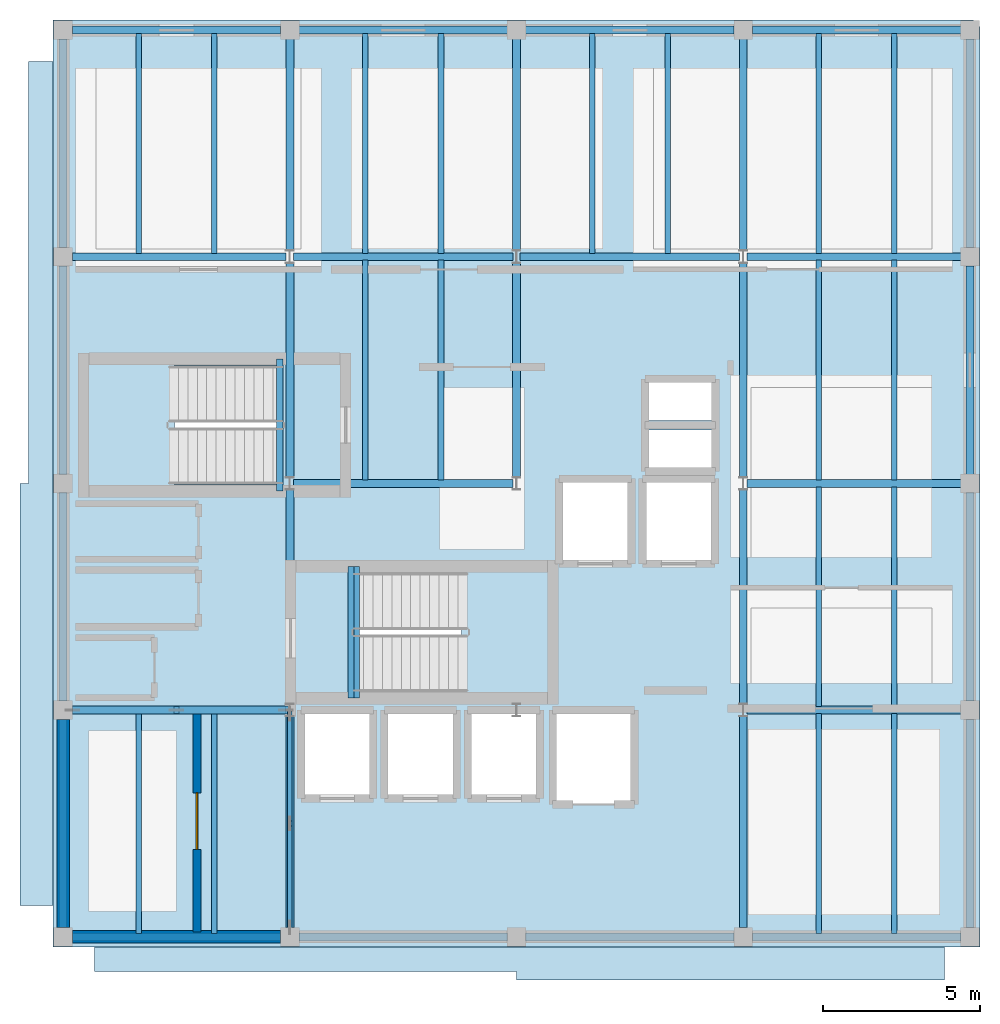
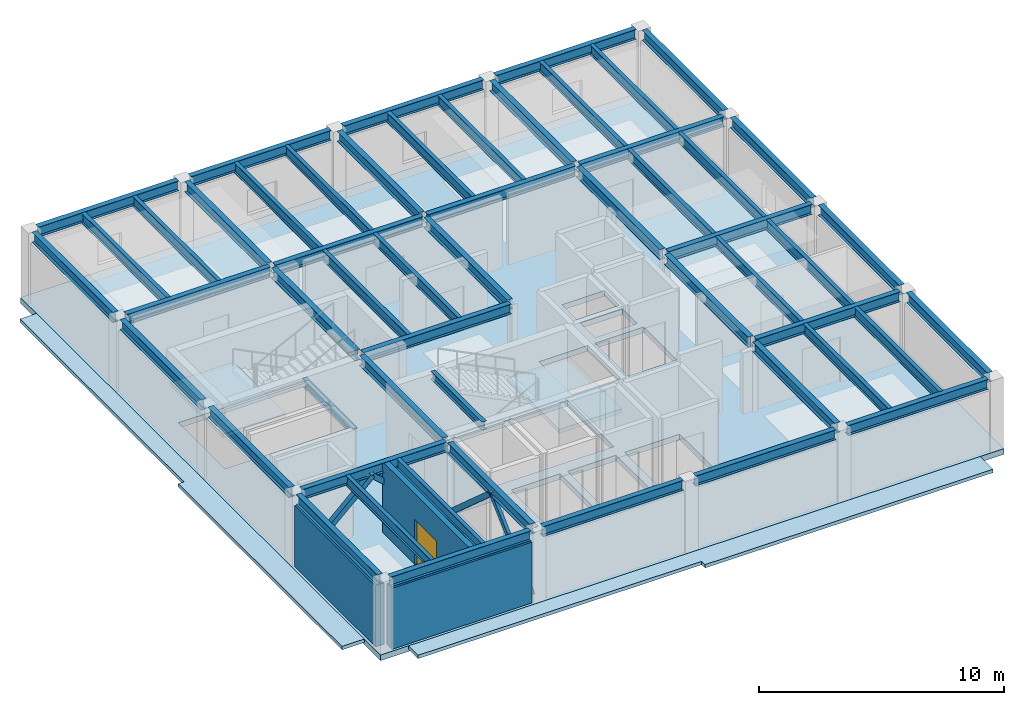
# One storey, part 3 of 8: 55 beams, 5 slabs, 4 members, 3 walls, 1 door, 1 opening, 2 elements without a shape of their own.
"""IFC4 building model written with IfcOpenShell, lengths in metres."""

from ifc_helpers import new_model, si_unit, direction, frame, frame_2d, origin, origin_2d, place, context, subcontext, project, spatial, polyline, rectangle, hollow_rectangle, i_section, outline, extrude, material, layer, layer_set, material_profile, profile_set, type_object, element, fill, aggregate, save


model = new_model("IFC4")

# Units and contexts
model_context = context("Model", 3, precision=1e-05, world=origin(), true_north=direction((0.0, 1.0)))
body_context = subcontext(model_context, "Body", "Model", "MODEL_VIEW")
ifc_project = project(units=[si_unit("LENGTHUNIT", "METRE"), si_unit("AREAUNIT", "SQUARE_METRE"), si_unit("VOLUMEUNIT", "CUBIC_METRE"), si_unit("PLANEANGLEUNIT", "RADIAN"), si_unit("MASSUNIT", "GRAM", prefix="KILO")], contexts=[model_context])

# Site, building, storey
site_placement = place(None, origin())
site = spatial("IfcSite", under=ifc_project, at=site_placement, CompositionType="ELEMENT")
building_placement = place(site_placement, origin())
building = spatial("IfcBuilding", under=site, at=building_placement, Name="Kandorven Conservatory and Botanical Research Centre", CompositionType="ELEMENT")
storey_placement = place(building_placement, frame((0.0, 0.0, 32.699951171875)))
storey = spatial("IfcBuildingStorey", under=building, at=storey_placement, Name="L08", CompositionType="ELEMENT", Elevation=32.699951171875)

# Beams
ifc_material_1 = material(Name="Steel S355 (IS 2062 E350)", Category="steel")
ifc_material_profile_1 = material_profile(ifc_material_1, i_section(OverallWidth=0.25, OverallDepth=0.5, WebThickness=0.010009765625, FlangeThickness=0.0146484375, at=origin_2d()))
ifc_profile_set_1 = profile_set([ifc_material_profile_1], Name="Steel S355 (IS 2062 E350)")
beam_type_1 = type_object("IfcBeamType", Name="Beam_FG-02", PredefinedType="USERDEFINED", material=ifc_profile_set_1)
beam_1_placement = place(storey_placement, frame((6.2900390625, 6.0, 3.31005859375), z_axis=(1.0, 0.0, 0.0), x_axis=(0.0, 1.0, 0.0)))
element("IfcBeam", 1, at=beam_1_placement, inside=storey, type_object=beam_type_1, Name="Primary girder FG-02 TWR L08", ObjectType="GIRDER", PredefinedType="USERDEFINED", context=body_context, shape_type="SweptSolid", body=[
    extrude(i_section(OverallWidth=0.25, OverallDepth=0.5, WebThickness=0.010009765625, FlangeThickness=0.0146484375, at=origin_2d()), origin(), (0.0, 0.0, 1.0), 6.619873046875),
])
for number, where, z_axis, x_axis, name in (
    (2, (13.489990234375, 6.0, 3.31005859375), (1.0, 0.0, 0.0), (0.0, 1.0, 0.0), "Primary girder FG-02 TWR L08"),
    (3, (20.68994140625, 6.0, 3.31005859375), (1.0, 0.0, 0.0), (0.0, 1.0, 0.0), "Primary girder FG-02 TWR L08"),
    (4, (27.889892578125, 6.0, 3.31005859375), (1.0, 0.0, 0.0), (0.0, 1.0, 0.0), "Primary girder FG-02 TWR L08"),
):
    element("IfcBeam", number, at=place(storey_placement, frame(where, z_axis=z_axis, x_axis=x_axis)), inside=storey, type_object=beam_type_1, Name=name, ObjectType="GIRDER", PredefinedType="USERDEFINED", context=body_context, shape_type="SweptSolid", body=[
        extrude(i_section(OverallWidth=0.25, OverallDepth=0.5, WebThickness=0.010009765625, FlangeThickness=0.0146484375, at=origin_2d()), origin(), (0.0, 0.0, 1.0), 6.6201171875),
    ])
for number, where, z_axis, x_axis, name in (
    (5, (6.2900390625, 13.199951171875, 3.31005859375), (1.0, 0.0, 0.0), (0.0, 1.0, 0.0), "Primary girder FG-02 TWR L08"),
    (6, (27.715087890625, 13.199951171875, 3.31005859375), (1.0, 0.0, 0.0), (0.0, 1.0, 0.0), "Primary girder FG-02 TWR L08"),
):
    element("IfcBeam", number, at=place(storey_placement, frame(where, z_axis=z_axis, x_axis=x_axis)), inside=storey, type_object=beam_type_1, Name=name, ObjectType="GIRDER", PredefinedType="USERDEFINED", context=body_context, shape_type="SweptSolid", body=[
        extrude(i_section(OverallWidth=0.25, OverallDepth=0.5, WebThickness=0.010009765625, FlangeThickness=0.0146484375, at=origin_2d()), origin(), (0.0, 0.0, 1.0), 6.794921875),
    ])
beam_2_placement = place(storey_placement, frame((13.31494140625, 20.39990234375, 3.31005859375), z_axis=(1.0, 0.0, 0.0), x_axis=(0.0, 1.0, 0.0)))
element("IfcBeam", 7, at=beam_2_placement, inside=storey, type_object=beam_type_1, Name="Primary girder FG-02 TWR L08", ObjectType="GIRDER", PredefinedType="USERDEFINED", context=body_context, shape_type="SweptSolid", body=[
    extrude(i_section(OverallWidth=0.25, OverallDepth=0.5, WebThickness=0.010009765625, FlangeThickness=0.0146484375, at=origin_2d()), origin(), (0.0, 0.0, 1.0), 6.969970703125),
])
for number, where, z_axis, x_axis, name in (
    (8, (27.715087890625, 20.39990234375, 3.31005859375), (1.0, 0.0, 0.0), (0.0, 1.0, 0.0), "Primary girder FG-02 TWR L08"),
    (9, (6.2900390625, 27.60009765625, 3.31005859375), (1.0, 0.0, 0.0), (0.0, 1.0, 0.0), "Primary girder FG-02 TWR L08"),
):
    element("IfcBeam", number, at=place(storey_placement, frame(where, z_axis=z_axis, x_axis=x_axis)), inside=storey, type_object=beam_type_1, Name=name, ObjectType="GIRDER", PredefinedType="USERDEFINED", context=body_context, shape_type="SweptSolid", body=[
        extrude(i_section(OverallWidth=0.25, OverallDepth=0.5, WebThickness=0.010009765625, FlangeThickness=0.0146484375, at=origin_2d()), origin(), (0.0, 0.0, 1.0), 6.794921875),
    ])
beam_3_placement = place(storey_placement, frame((13.31494140625, 27.60009765625, 3.31005859375), z_axis=(1.0, 0.0, 0.0), x_axis=(0.0, 1.0, 0.0)))
element("IfcBeam", 10, at=beam_3_placement, inside=storey, type_object=beam_type_1, Name="Primary girder FG-02 TWR L08", ObjectType="GIRDER", PredefinedType="USERDEFINED", context=body_context, shape_type="SweptSolid", body=[
    extrude(i_section(OverallWidth=0.25, OverallDepth=0.5, WebThickness=0.010009765625, FlangeThickness=0.0146484375, at=origin_2d()), origin(), (0.0, 0.0, 1.0), 6.969970703125),
])
beam_4_placement = place(storey_placement, frame((20.514892578125, 27.60009765625, 3.31005859375), z_axis=(1.0, 0.0, 0.0), x_axis=(0.0, 1.0, 0.0)))
element("IfcBeam", 11, at=beam_4_placement, inside=storey, type_object=beam_type_1, Name="Primary girder FG-02 TWR L08", ObjectType="GIRDER", PredefinedType="USERDEFINED", context=body_context, shape_type="SweptSolid", body=[
    extrude(i_section(OverallWidth=0.25, OverallDepth=0.5, WebThickness=0.010009765625, FlangeThickness=0.0146484375, at=origin_2d()), origin(), (0.0, 0.0, 1.0), 6.97021484375),
])
beam_5_placement = place(storey_placement, frame((27.715087890625, 27.60009765625, 3.31005859375), z_axis=(1.0, 0.0, 0.0), x_axis=(0.0, 1.0, 0.0)))
element("IfcBeam", 12, at=beam_5_placement, inside=storey, type_object=beam_type_1, Name="Primary girder FG-02 TWR L08", ObjectType="GIRDER", PredefinedType="USERDEFINED", context=body_context, shape_type="SweptSolid", body=[
    extrude(i_section(OverallWidth=0.25, OverallDepth=0.5, WebThickness=0.010009765625, FlangeThickness=0.0146484375, at=origin_2d()), origin(), (0.0, 0.0, 1.0), 6.794921875),
])
beam_6_placement = place(storey_placement, frame((6.2900390625, 34.800048828125, 3.31005859375), z_axis=(1.0, 0.0, 0.0), x_axis=(0.0, 1.0, 0.0)))
element("IfcBeam", 13, at=beam_6_placement, inside=storey, type_object=beam_type_1, Name="Primary girder FG-02 TWR L08", ObjectType="GIRDER", PredefinedType="USERDEFINED", context=body_context, shape_type="SweptSolid", body=[
    extrude(i_section(OverallWidth=0.25, OverallDepth=0.5, WebThickness=0.010009765625, FlangeThickness=0.0146484375, at=origin_2d()), origin(), (0.0, 0.0, 1.0), 6.619873046875),
])
for number, where, z_axis, x_axis, name in (
    (14, (13.489990234375, 34.800048828125, 3.31005859375), (1.0, 0.0, 0.0), (0.0, 1.0, 0.0), "Primary girder FG-02 TWR L08"),
    (15, (20.68994140625, 34.800048828125, 3.31005859375), (1.0, 0.0, 0.0), (0.0, 1.0, 0.0), "Primary girder FG-02 TWR L08"),
    (16, (27.889892578125, 34.800048828125, 3.31005859375), (1.0, 0.0, 0.0), (0.0, 1.0, 0.0), "Primary girder FG-02 TWR L08"),
):
    element("IfcBeam", number, at=place(storey_placement, frame(where, z_axis=z_axis, x_axis=x_axis)), inside=storey, type_object=beam_type_1, Name=name, ObjectType="GIRDER", PredefinedType="USERDEFINED", context=body_context, shape_type="SweptSolid", body=[
        extrude(i_section(OverallWidth=0.25, OverallDepth=0.5, WebThickness=0.010009765625, FlangeThickness=0.0146484375, at=origin_2d()), origin(), (0.0, 0.0, 1.0), 6.6201171875),
    ])
beam_7_placement = place(storey_placement, frame((6.0, 6.2900390625, 3.31005859375), z_axis=(0.0, 1.0, 0.0), x_axis=(-1.0, 0.0, 0.0)))
element("IfcBeam", 17, at=beam_7_placement, inside=storey, type_object=beam_type_1, Name="Primary girder FG-02 TWR L08", ObjectType="GIRDER", PredefinedType="USERDEFINED", context=body_context, shape_type="SweptSolid", body=[
    extrude(i_section(OverallWidth=0.25, OverallDepth=0.5, WebThickness=0.010009765625, FlangeThickness=0.0146484375, at=origin_2d()), origin(), (0.0, 0.0, 1.0), 6.619873046875),
])
for number, where, z_axis, x_axis, name in (
    (18, (6.0, 13.489990234375, 3.31005859375), (0.0, 1.0, 0.0), (-1.0, 0.0, 0.0), "Primary girder FG-02 TWR L08"),
    (19, (6.0, 20.68994140625, 3.31005859375), (0.0, 1.0, 0.0), (-1.0, 0.0, 0.0), "Primary girder FG-02 TWR L08"),
    (20, (6.0, 27.889892578125, 3.31005859375), (0.0, 1.0, 0.0), (-1.0, 0.0, 0.0), "Primary girder FG-02 TWR L08"),
):
    element("IfcBeam", number, at=place(storey_placement, frame(where, z_axis=z_axis, x_axis=x_axis)), inside=storey, type_object=beam_type_1, Name=name, ObjectType="GIRDER", PredefinedType="USERDEFINED", context=body_context, shape_type="SweptSolid", body=[
        extrude(i_section(OverallWidth=0.25, OverallDepth=0.5, WebThickness=0.010009765625, FlangeThickness=0.0146484375, at=origin_2d()), origin(), (0.0, 0.0, 1.0), 6.6201171875),
    ])
beam_8_placement = place(storey_placement, frame((13.199951171875, 6.2900390625, 3.31005859375), z_axis=(0.0, 1.0, 0.0), x_axis=(-1.0, 0.0, 0.0)))
element("IfcBeam", 21, at=beam_8_placement, inside=storey, type_object=beam_type_1, Name="Primary girder FG-02 TWR L08", ObjectType="GIRDER", PredefinedType="USERDEFINED", context=body_context, shape_type="SweptSolid", body=[
    extrude(i_section(OverallWidth=0.25, OverallDepth=0.5, WebThickness=0.010009765625, FlangeThickness=0.0146484375, at=origin_2d()), origin(), (0.0, 0.0, 1.0), 6.719970703125),
])
beam_9_placement = place(storey_placement, frame((13.199951171875, 13.389892578125, 3.31005859375), z_axis=(0.0, 1.0, 0.0), x_axis=(-1.0, 0.0, 0.0)))
element("IfcBeam", 22, at=beam_9_placement, inside=storey, type_object=beam_type_1, Name="Primary girder FG-02 TWR L08", ObjectType="GIRDER", PredefinedType="USERDEFINED", context=body_context, shape_type="SweptSolid", body=[
    extrude(i_section(OverallWidth=0.25, OverallDepth=0.5, WebThickness=0.010009765625, FlangeThickness=0.0146484375, at=origin_2d()), origin(), (0.0, 0.0, 1.0), 6.820068359375),
])
beam_10_placement = place(storey_placement, frame((13.199951171875, 20.590087890625, 3.31005859375), z_axis=(0.0, 1.0, 0.0), x_axis=(-1.0, 0.0, 0.0)))
element("IfcBeam", 23, at=beam_10_placement, inside=storey, type_object=beam_type_1, Name="Primary girder FG-02 TWR L08", ObjectType="GIRDER", PredefinedType="USERDEFINED", context=body_context, shape_type="SweptSolid", body=[
    extrude(i_section(OverallWidth=0.25, OverallDepth=0.5, WebThickness=0.010009765625, FlangeThickness=0.0146484375, at=origin_2d()), origin(), (0.0, 0.0, 1.0), 6.81982421875),
])
beam_11_placement = place(storey_placement, frame((13.199951171875, 27.7900390625, 3.31005859375), z_axis=(0.0, 1.0, 0.0), x_axis=(-1.0, 0.0, 0.0)))
element("IfcBeam", 24, at=beam_11_placement, inside=storey, type_object=beam_type_1, Name="Primary girder FG-02 TWR L08", ObjectType="GIRDER", PredefinedType="USERDEFINED", context=body_context, shape_type="SweptSolid", body=[
    extrude(i_section(OverallWidth=0.25, OverallDepth=0.5, WebThickness=0.010009765625, FlangeThickness=0.0146484375, at=origin_2d()), origin(), (0.0, 0.0, 1.0), 6.719970703125),
])
beam_12_placement = place(storey_placement, frame((20.39990234375, 20.590087890625, 3.31005859375), z_axis=(0.0, 1.0, 0.0), x_axis=(-1.0, 0.0, 0.0)))
element("IfcBeam", 25, at=beam_12_placement, inside=storey, type_object=beam_type_1, Name="Primary girder FG-02 TWR L08", ObjectType="GIRDER", PredefinedType="USERDEFINED", context=body_context, shape_type="SweptSolid", body=[
    extrude(i_section(OverallWidth=0.25, OverallDepth=0.5, WebThickness=0.010009765625, FlangeThickness=0.0146484375, at=origin_2d()), origin(), (0.0, 0.0, 1.0), 6.81982421875),
])
for number, where, z_axis, x_axis, name in (
    (26, (20.39990234375, 27.7900390625, 3.31005859375), (0.0, 1.0, 0.0), (-1.0, 0.0, 0.0), "Primary girder FG-02 TWR L08"),
    (27, (27.60009765625, 6.2900390625, 3.31005859375), (0.0, 1.0, 0.0), (-1.0, 0.0, 0.0), "Primary girder FG-02 TWR L08"),
):
    element("IfcBeam", number, at=place(storey_placement, frame(where, z_axis=z_axis, x_axis=x_axis)), inside=storey, type_object=beam_type_1, Name=name, ObjectType="GIRDER", PredefinedType="USERDEFINED", context=body_context, shape_type="SweptSolid", body=[
        extrude(i_section(OverallWidth=0.25, OverallDepth=0.5, WebThickness=0.010009765625, FlangeThickness=0.0146484375, at=origin_2d()), origin(), (0.0, 0.0, 1.0), 6.719970703125),
    ])
beam_13_placement = place(storey_placement, frame((27.60009765625, 13.389892578125, 3.31005859375), z_axis=(0.0, 1.0, 0.0), x_axis=(-1.0, 0.0, 0.0)))
element("IfcBeam", 28, at=beam_13_placement, inside=storey, type_object=beam_type_1, Name="Primary girder FG-02 TWR L08", ObjectType="GIRDER", PredefinedType="USERDEFINED", context=body_context, shape_type="SweptSolid", body=[
    extrude(i_section(OverallWidth=0.25, OverallDepth=0.5, WebThickness=0.010009765625, FlangeThickness=0.0146484375, at=origin_2d()), origin(), (0.0, 0.0, 1.0), 6.820068359375),
])
beam_14_placement = place(storey_placement, frame((27.60009765625, 20.590087890625, 3.31005859375), z_axis=(0.0, 1.0, 0.0), x_axis=(-1.0, 0.0, 0.0)))
element("IfcBeam", 29, at=beam_14_placement, inside=storey, type_object=beam_type_1, Name="Primary girder FG-02 TWR L08", ObjectType="GIRDER", PredefinedType="USERDEFINED", context=body_context, shape_type="SweptSolid", body=[
    extrude(i_section(OverallWidth=0.25, OverallDepth=0.5, WebThickness=0.010009765625, FlangeThickness=0.0146484375, at=origin_2d()), origin(), (0.0, 0.0, 1.0), 6.81982421875),
])
beam_15_placement = place(storey_placement, frame((27.60009765625, 27.7900390625, 3.31005859375), z_axis=(0.0, 1.0, 0.0), x_axis=(-1.0, 0.0, 0.0)))
element("IfcBeam", 30, at=beam_15_placement, inside=storey, type_object=beam_type_1, Name="Primary girder FG-02 TWR L08", ObjectType="GIRDER", PredefinedType="USERDEFINED", context=body_context, shape_type="SweptSolid", body=[
    extrude(i_section(OverallWidth=0.25, OverallDepth=0.5, WebThickness=0.010009765625, FlangeThickness=0.0146484375, at=origin_2d()), origin(), (0.0, 0.0, 1.0), 6.719970703125),
])
beam_16_placement = place(storey_placement, frame((34.800048828125, 6.2900390625, 3.31005859375), z_axis=(0.0, 1.0, 0.0), x_axis=(-1.0, 0.0, 0.0)))
element("IfcBeam", 31, at=beam_16_placement, inside=storey, type_object=beam_type_1, Name="Primary girder FG-02 TWR L08", ObjectType="GIRDER", PredefinedType="USERDEFINED", context=body_context, shape_type="SweptSolid", body=[
    extrude(i_section(OverallWidth=0.25, OverallDepth=0.5, WebThickness=0.010009765625, FlangeThickness=0.0146484375, at=origin_2d()), origin(), (0.0, 0.0, 1.0), 6.619873046875),
])
for number, where, z_axis, x_axis, name in (
    (32, (34.800048828125, 13.489990234375, 3.31005859375), (0.0, 1.0, 0.0), (-1.0, 0.0, 0.0), "Primary girder FG-02 TWR L08"),
    (33, (34.800048828125, 20.68994140625, 3.31005859375), (0.0, 1.0, 0.0), (-1.0, 0.0, 0.0), "Primary girder FG-02 TWR L08"),
    (34, (34.800048828125, 27.889892578125, 3.31005859375), (0.0, 1.0, 0.0), (-1.0, 0.0, 0.0), "Primary girder FG-02 TWR L08"),
):
    element("IfcBeam", number, at=place(storey_placement, frame(where, z_axis=z_axis, x_axis=x_axis)), inside=storey, type_object=beam_type_1, Name=name, ObjectType="GIRDER", PredefinedType="USERDEFINED", context=body_context, shape_type="SweptSolid", body=[
        extrude(i_section(OverallWidth=0.25, OverallDepth=0.5, WebThickness=0.010009765625, FlangeThickness=0.0146484375, at=origin_2d()), origin(), (0.0, 0.0, 1.0), 6.6201171875),
    ])
ifc_material_2 = material(Name="Steel S355 (IS 2062 E350)", Category="steel")
ifc_material_profile_2 = material_profile(ifc_material_2, i_section(OverallWidth=0.199951171875, OverallDepth=0.39990234375, WebThickness=0.008544921875, FlangeThickness=0.012939453125, at=origin_2d()))
ifc_profile_set_2 = profile_set([ifc_material_profile_2], Name="Steel S355 (IS 2062 E350)")
beam_type_2 = type_object("IfcBeamType", Name="Beam_FG-03", PredefinedType="USERDEFINED", material=ifc_profile_set_2)
for number, where, z_axis, x_axis, name in (
    (35, (15.320068359375, 13.580078125, -0.199951171875), (0.0, 1.0, 0.0), (-1.0, 0.0, 0.0), "Stair well bottom trimmer girder FG-03 ST-T1 L08"),
    (36, (15.139892578125, 13.580078125, 3.360107421875), (0.0, 1.0, 0.0), (-1.0, 0.0, 0.0), "Stair well top header girder FG-03 ST-T1 L08"),
):
    element("IfcBeam", number, at=place(storey_placement, frame(where, z_axis=z_axis, x_axis=x_axis)), inside=storey, type_object=beam_type_2, Name=name, ObjectType="GIRDER", PredefinedType="USERDEFINED", context=body_context, shape_type="SweptSolid", body=[
        extrude(i_section(OverallWidth=0.199951171875, OverallDepth=0.39990234375, WebThickness=0.008544921875, FlangeThickness=0.012939453125, at=origin_2d()), origin(), (0.0, 0.0, 1.0), 4.18994140625),
    ])
beam_17_placement = place(storey_placement, frame((12.8798828125, 24.35009765625, -0.199951171875), z_axis=(0.0, -1.0, 0.0), x_axis=(1.0, 0.0, 0.0)))
element("IfcBeam", 37, at=beam_17_placement, inside=storey, type_object=beam_type_2, Name="Stair well bottom trimmer girder FG-03 ST-T2 L08", ObjectType="GIRDER", PredefinedType="USERDEFINED", context=body_context, shape_type="SweptSolid", body=[
    extrude(i_section(OverallWidth=0.199951171875, OverallDepth=0.39990234375, WebThickness=0.008544921875, FlangeThickness=0.012939453125, at=origin_2d()), origin(), (0.0, 0.0, 1.0), 4.190185546875),
])
ifc_material_3 = material(Name="Steel S355 (IS 2062 E350)", Category="steel")
ifc_material_profile_3 = material_profile(ifc_material_3, i_section(OverallWidth=0.179931640625, OverallDepth=0.5, WebThickness=0.01025390625, FlangeThickness=0.01708984375, at=origin_2d()))
ifc_profile_set_3 = profile_set([ifc_material_profile_3], Name="Steel S355 (IS 2062 E350)")
beam_type_3 = type_object("IfcBeamType", Name="Beam_SB-03", PredefinedType="BEAM", material=ifc_profile_set_3)
for number, where, z_axis, x_axis, name in (
    (38, (8.39990234375, 6.110107421875, 3.31005859375), (0.0, 1.0, 0.0), (-1.0, 0.0, 0.0), "Composite secondary beam SB-03 TWR L08"),
    (39, (10.800048828125, 6.110107421875, 3.31005859375), (0.0, 1.0, 0.0), (-1.0, 0.0, 0.0), "Composite secondary beam SB-03 TWR L08"),
    (40, (8.39990234375, 27.7099609375, 3.31005859375), (0.0, 1.0, 0.0), (-1.0, 0.0, 0.0), "Composite secondary beam SB-03 TWR L08"),
    (41, (10.800048828125, 27.7099609375, 3.31005859375), (0.0, 1.0, 0.0), (-1.0, 0.0, 0.0), "Composite secondary beam SB-03 TWR L08"),
    (42, (15.60009765625, 20.510009765625, 3.31005859375), (0.0, 1.0, 0.0), (-1.0, 0.0, 0.0), "Composite secondary beam SB-03 TWR L08"),
    (43, (18.0, 20.510009765625, 3.31005859375), (0.0, 1.0, 0.0), (-1.0, 0.0, 0.0), "Composite secondary beam SB-03 TWR L08"),
    (44, (15.60009765625, 27.7099609375, 3.31005859375), (0.0, 1.0, 0.0), (-1.0, 0.0, 0.0), "Composite secondary beam SB-03 TWR L08"),
    (45, (18.0, 27.7099609375, 3.31005859375), (0.0, 1.0, 0.0), (-1.0, 0.0, 0.0), "Composite secondary beam SB-03 TWR L08"),
    (46, (22.800048828125, 27.7099609375, 3.31005859375), (0.0, 1.0, 0.0), (-1.0, 0.0, 0.0), "Composite secondary beam SB-03 TWR L08"),
    (47, (25.199951171875, 27.7099609375, 3.31005859375), (0.0, 1.0, 0.0), (-1.0, 0.0, 0.0), "Composite secondary beam SB-03 TWR L08"),
    (48, (30.0, 6.110107421875, 3.31005859375), (0.0, 1.0, 0.0), (-1.0, 0.0, 0.0), "Composite secondary beam SB-03 TWR L08"),
    (49, (32.39990234375, 6.110107421875, 3.31005859375), (0.0, 1.0, 0.0), (-1.0, 0.0, 0.0), "Composite secondary beam SB-03 TWR L08"),
    (50, (30.0, 13.31005859375, 3.31005859375), (0.0, 1.0, 0.0), (-1.0, 0.0, 0.0), "Composite secondary beam SB-03 TWR L08"),
    (51, (32.39990234375, 13.31005859375, 3.31005859375), (0.0, 1.0, 0.0), (-1.0, 0.0, 0.0), "Composite secondary beam SB-03 TWR L08"),
    (52, (30.0, 20.510009765625, 3.31005859375), (0.0, 1.0, 0.0), (-1.0, 0.0, 0.0), "Composite secondary beam SB-03 TWR L08"),
    (53, (32.39990234375, 20.510009765625, 3.31005859375), (0.0, 1.0, 0.0), (-1.0, 0.0, 0.0), "Composite secondary beam SB-03 TWR L08"),
    (54, (30.0, 27.7099609375, 3.31005859375), (0.0, 1.0, 0.0), (-1.0, 0.0, 0.0), "Composite secondary beam SB-03 TWR L08"),
    (55, (32.39990234375, 27.7099609375, 3.31005859375), (0.0, 1.0, 0.0), (-1.0, 0.0, 0.0), "Composite secondary beam SB-03 TWR L08"),
):
    element("IfcBeam", number, at=place(storey_placement, frame(where, z_axis=z_axis, x_axis=x_axis)), inside=storey, type_object=beam_type_3, Name=name, PredefinedType="BEAM", context=body_context, shape_type="SweptSolid", body=[
        extrude(i_section(OverallWidth=0.179931640625, OverallDepth=0.5, WebThickness=0.01025390625, FlangeThickness=0.01708984375, at=origin_2d()), origin(), (0.0, 0.0, 1.0), 6.97998046875),
    ])

# Members
ifc_material_4 = material(Name="Steel S355 (IS 2062 E350)", Category="steel")
ifc_material_profile_4 = material_profile(ifc_material_4, hollow_rectangle(XDim=0.25, YDim=0.25, WallThickness=0.011962890625, at=origin_2d()))
ifc_profile_set_4 = profile_set([ifc_material_profile_4], Name="Steel S355 (IS 2062 E350)")
member_type_1 = type_object("IfcMemberType", Name="Mem_BR-02", PredefinedType="BRACE", material=ifc_profile_set_4)
member_1_placement = place(storey_placement, frame((6.300048828125, 13.199951171875, 0.0), z_axis=(0.729946299396, 0.0, 0.683504498887), x_axis=(0.0, 1.0, 0.0)))
element("IfcMember", 56, at=member_1_placement, inside=storey, type_object=member_type_1, Name="Tower lateral chevron brace BR-02 L08 W", PredefinedType="BRACE", context=body_context, shape_type="SweptSolid", body=[
    extrude(hollow_rectangle(XDim=0.25, YDim=0.25, WallThickness=0.011962890625, at=origin_2d()), origin(), (0.0, 0.0, 1.0), 4.52099609375),
])
member_2_placement = place(storey_placement, frame((13.074951171875, 13.199951171875, 0.0), z_axis=(-0.74726736397, 0.0, 0.664523503532), x_axis=(0.0, -1.0, 0.0)))
element("IfcMember", 57, at=member_2_placement, inside=storey, type_object=member_type_1, Name="Tower lateral chevron brace BR-02 L08 E", PredefinedType="BRACE", context=body_context, shape_type="SweptSolid", body=[
    extrude(hollow_rectangle(XDim=0.25, YDim=0.25, WallThickness=0.011962890625, at=origin_2d()), origin(), (0.0, 0.0, 1.0), 4.650146484375),
])
ifc_material_5 = material(Name="Steel S355 (IS 2062 E350)", Category="steel")
ifc_material_profile_5 = material_profile(ifc_material_5, hollow_rectangle(XDim=0.14990234375, YDim=0.25, WallThickness=0.010009765625, at=origin_2d()))
ifc_profile_set_5 = profile_set([ifc_material_profile_5], Name="Steel S355 (IS 2062 E350)")
member_type_2 = type_object("IfcMemberType", Name="Mem_BR-04", PredefinedType="BRACE", material=ifc_profile_set_5)
member_3_placement = place(storey_placement, frame((13.199951171875, 6.300048828125, 0.0), z_axis=(0.0, 0.729946299396, 0.683504498887), x_axis=(-1.0, 0.0, 0.0)))
element("IfcMember", 58, at=member_3_placement, inside=storey, type_object=member_type_2, Name="Tower lateral chevron brace BR-04 L08 S", PredefinedType="BRACE", context=body_context, shape_type="SweptSolid", body=[
    extrude(hollow_rectangle(XDim=0.14990234375, YDim=0.25, WallThickness=0.010009765625, at=origin_2d()), origin(), (0.0, 0.0, 1.0), 4.52099609375),
])
member_4_placement = place(storey_placement, frame((13.199951171875, 13.074951171875, 0.0), z_axis=(0.0, -0.74726736397, 0.664523503532), x_axis=(1.0, 0.0, 0.0)))
element("IfcMember", 59, at=member_4_placement, inside=storey, type_object=member_type_2, Name="Tower lateral chevron brace BR-04 L08 N", PredefinedType="BRACE", context=body_context, shape_type="SweptSolid", body=[
    extrude(hollow_rectangle(XDim=0.14990234375, YDim=0.25, WallThickness=0.010009765625, at=origin_2d()), origin(), (0.0, 0.0, 1.0), 4.650146484375),
])

# Slabs
ifc_material_6 = material(Name="Concrete C32/40 (M40)", Category="concrete")
ifc_layer_1 = layer(ifc_material_6, 0.280029296875)
ifc_layer_set_1 = layer_set([ifc_layer_1], Name="Concrete C32/40 (M40)")
slab_type_1 = type_object("IfcSlabType", Name="Slab_SL-04", PredefinedType="FLOOR", material=ifc_layer_set_1)
slab_1_placement = place(storey_placement, frame((0.0, 0.0, -0.280029296875)))
element("IfcSlab", 60, at=slab_1_placement, inside=storey, type_object=slab_type_1, Name="Tower floor slab L08", PredefinedType="FLOOR", context=body_context, shape_type="SweptSolid", body=[
    extrude(outline(polyline([(5.679931640625, 5.679931640625), (35.1201171875, 5.679931640625), (35.1201171875, 34.919921875), (34.919921875, 34.919921875), (34.919921875, 35.1201171875), (5.679931640625, 35.1201171875), (5.679931640625, 5.679931640625)]), holes=[polyline([(15.239990234375, 13.780029296875), (21.3798828125, 13.780029296875), (21.3798828125, 17.570068359375), (15.239990234375, 17.570068359375), (15.239990234375, 13.780029296875)]), polyline([(12.9599609375, 24.14990234375), (6.820068359375, 24.14990234375), (6.820068359375, 20.360107421875), (12.9599609375, 20.360107421875), (12.9599609375, 24.14990234375)]), polyline([(21.75, 17.85009765625), (24.050048828125, 17.85009765625), (24.050048828125, 20.550048828125), (21.75, 20.550048828125), (21.75, 17.85009765625)]), polyline([(24.39990234375, 17.85009765625), (26.699951171875, 17.85009765625), (26.699951171875, 20.550048828125), (24.39990234375, 20.550048828125), (24.39990234375, 17.85009765625)]), polyline([(13.550048828125, 10.39990234375), (15.85009765625, 10.39990234375), (15.85009765625, 13.199951171875), (13.550048828125, 13.199951171875), (13.550048828125, 10.39990234375)]), polyline([(16.199951171875, 10.39990234375), (18.5, 10.39990234375), (18.5, 13.199951171875), (16.199951171875, 13.199951171875), (16.199951171875, 10.39990234375)]), polyline([(18.85009765625, 10.39990234375), (21.14990234375, 10.39990234375), (21.14990234375, 13.199951171875), (18.85009765625, 13.199951171875), (18.85009765625, 10.39990234375)]), polyline([(21.550048828125, 10.199951171875), (24.14990234375, 10.199951171875), (24.14990234375, 13.199951171875), (21.550048828125, 13.199951171875), (21.550048828125, 10.199951171875)]), polyline([(24.60009765625, 20.89990234375), (26.60009765625, 20.89990234375), (26.60009765625, 22.10009765625), (24.60009765625, 22.10009765625), (24.60009765625, 20.89990234375)]), polyline([(24.60009765625, 22.39990234375), (26.60009765625, 22.39990234375), (26.60009765625, 23.60009765625), (24.60009765625, 23.60009765625), (24.60009765625, 22.39990234375)])]), origin(), (0.0, 0.0, 1.0), 0.280029296875),
])
ifc_material_7 = material(Name="Concrete C32/40 (M40)", Category="concrete")
ifc_layer_2 = layer(ifc_material_7, 0.169921875)
ifc_layer_set_2 = layer_set([ifc_layer_2], Name="Concrete C32/40 (M40)")
slab_type_2 = type_object("IfcSlabType", Name="Slab_SL-13", PredefinedType="FLOOR", material=ifc_layer_set_2)
slab_2_placement = place(storey_placement, frame((0.0, 0.0, -0.169921875)))
element("IfcSlab", 61, at=slab_2_placement, inside=storey, type_object=slab_type_2, Name="Tower south sculpted concrete solar-hood slab L08", PredefinedType="FLOOR", context=body_context, shape_type="SweptSolid", body=[
    extrude(outline(polyline([(7.0, 5.679931640625), (34.0, 5.679931640625), (34.0, 4.6298828125), (20.39990234375, 4.6298828125), (20.39990234375, 4.89990234375), (7.0, 4.89990234375), (7.0, 5.679931640625)])), origin(), (0.0, 0.0, 1.0), 0.169921875),
])
slab_3_placement = place(storey_placement, frame((0.0, 0.0, -0.169921875)))
element("IfcSlab", 62, at=slab_3_placement, inside=storey, type_object=slab_type_2, Name="Tower west sculpted concrete solar-hood slab L08", PredefinedType="FLOOR", context=body_context, shape_type="SweptSolid", body=[
    extrude(outline(polyline([(4.6298828125, 7.0), (5.679931640625, 7.0), (5.679931640625, 33.800048828125), (4.89990234375, 33.800048828125), (4.89990234375, 20.39990234375), (4.6298828125, 20.39990234375), (4.6298828125, 7.0)])), origin(), (0.0, 0.0, 1.0), 0.169921875),
])

# Stair, slab
ifc_material_8 = material(Name="Concrete C32/40 (M40)", Category="concrete")
stair_type = type_object("IfcStairType", Name="Stair_1820", PredefinedType="HALF_TURN_STAIR", material=ifc_material_8)
stair_1_placement = place(storey_placement, origin())
stair_1 = element("IfcStair", 63, at=stair_1_placement, inside=storey, type_object=stair_type, Name="L08 Tower Fire Stair ST-T1", PredefinedType="HALF_TURN_STAIR")
ifc_material_9 = material(Name="Concrete C32/40 (M40)", Category="concrete")
ifc_layer_3 = layer(ifc_material_9, 0.199951171875)
ifc_layer_set_3 = layer_set([ifc_layer_3], Name="Concrete C32/40 (M40)")
slab_type_3 = type_object("IfcSlabType", Name="StairLanding_200", PredefinedType="LANDING", material=ifc_layer_set_3)
slab_4_placement = place(storey_placement, frame((0.0, 0.0, 1.75)))
slab_4 = element("IfcSlab", 64, at=slab_4_placement, type_object=slab_type_3, Name="ST-T1 landing 1", PredefinedType="LANDING", context=body_context, shape_type="SweptSolid", body=[
    extrude(outline(polyline([(18.659423828125, 13.5400390625), (21.6201171875, 13.5400390625), (21.6201171875, 17.81005859375), (18.659423828125, 17.81005859375), (18.659423828125, 13.5400390625)])), origin(), (0.0, 0.0, 1.0), 0.199951171875),
])
aggregate(stair_1, [slab_4])

stair_2_placement = place(storey_placement, origin())
stair_2 = element("IfcStair", 65, at=stair_2_placement, inside=storey, type_object=stair_type, Name="L08 Tower Fire Stair ST-T2", PredefinedType="HALF_TURN_STAIR")
slab_5_placement = place(storey_placement, frame((0.0, 0.0, 1.75)))
slab_5 = element("IfcSlab", 66, at=slab_5_placement, type_object=slab_type_3, Name="ST-T2 landing 1", PredefinedType="LANDING", context=body_context, shape_type="SweptSolid", body=[
    extrude(outline(polyline([(9.54052734375, 24.389892578125), (6.580078125, 24.389892578125), (6.580078125, 20.1201171875), (9.54052734375, 20.1201171875), (9.54052734375, 24.389892578125)])), origin(), (0.0, 0.0, 1.0), 0.199951171875),
])
aggregate(stair_2, [slab_5])

# Walls
ifc_material_10 = material(Name="Concrete C40/50 (M50)", Category="concrete")
ifc_layer_4 = layer(ifc_material_10, 0.39990234375)
ifc_layer_set_4 = layer_set([ifc_layer_4], Name="Concrete C40/50 (M50)")
wall_type_1 = type_object("IfcWallType", Name="Wall_EW-HB-01", PredefinedType="STANDARD", material=ifc_layer_set_4)
for number, where, z_axis, x_axis, name in (
    (67, (6.300048828125, 6.0, 0.0), (0.0, 0.0, 1.0), (1.0, 0.0, 0.0), "Tower concrete facade wall EW-HB-01 S L08"),
    (68, (6.0, 6.300048828125, 0.0), (0.0, 0.0, 1.0), (0.0, 1.0, 0.0), "Tower concrete facade wall EW-HB-01 W L08"),
):
    element("IfcWall", number, at=place(storey_placement, frame(where, z_axis=z_axis, x_axis=x_axis)), inside=storey, type_object=wall_type_1, Name=name, PredefinedType="STANDARD", context=body_context, shape_type="SweptSolid", body=[
        extrude(rectangle(XDim=6.599853515625, YDim=0.39990234375, at=frame_2d((3.2998046875, 0.0))), origin(), (0.0, 0.0, 1.0), 3.0400390625),
    ])

# Wall, opening, door
ifc_material_11 = material(Name="Concrete C32/40 (M40)", Category="concrete")
ifc_layer_5 = layer(ifc_material_11, 0.25)
ifc_layer_set_5 = layer_set([ifc_layer_5], Name="Concrete C32/40 (M40)")
wall_type_2 = type_object("IfcWallType", Name="Wall_IW-FR-1", PredefinedType="SOLIDWALL", material=ifc_layer_set_5)
wall_placement = place(storey_placement, frame((10.25, 6.14990234375, 0.0), z_axis=(0.0, 0.0, 1.0), x_axis=(0.0, 1.0, 0.0)))
wall = element("IfcWall", 69, at=wall_placement, inside=storey, type_object=wall_type_2, Name="Interior fire partition wall IW-FR-1 (Herbarium Type Specimen Vault L08)", PredefinedType="SOLIDWALL", context=body_context, shape_type="SweptSolid", body=[
    extrude(rectangle(XDim=7.050048828125, YDim=0.25, at=frame_2d((3.52490234375, 0.0))), origin(), (0.0, 0.0, 1.0), 3.5400390625),
])
opening_placement = place(wall_placement, frame((2.625, 0.0, 0.0)))
opening = element("IfcOpeningElement", 70, at=opening_placement, cuts=wall, Name="Opening FD-4", PredefinedType="OPENING", context=body_context, shape_type="SweptSolid", body=[
    extrude(rectangle(XDim=1.800048828125, YDim=2.25, at=frame_2d((0.89990234375, 1.125))), frame((0.0, 0.135009765625, 0.0), z_axis=(0.0, -1.0, 0.0), x_axis=(1.0, 0.0, 0.0)), (0.0, 0.0, 1.0), 0.27001953125),
])
ifc_material_12 = material(Name="Galvanised hollow steel fire door assembly", Category="steel")
door_type = type_object("IfcDoorType", Name="Door_FD-4", OperationType="NOTDEFINED", PredefinedType="DOOR", material=ifc_material_12)
door_placement = place(opening_placement, origin())
door = element("IfcDoor", 71, at=door_placement, inside=storey, type_object=door_type, Name="Interior door FD-4 to Herbarium Type Specimen Vault L08", OperationType="DOUBLE_DOOR_SINGLE_SWING", OverallHeight=2.25, OverallWidth=1.800048828125, PredefinedType="DOOR", context=body_context, shape_type="SweptSolid", body=[
    extrude(rectangle(XDim=1.800048828125, YDim=2.25, at=frame_2d((0.89990234375, 1.125))), frame((0.0, 0.02490234375, 0.0), z_axis=(0.0, -1.0, 0.0), x_axis=(1.0, 0.0, 0.0)), (0.0, 0.0, 1.0), 0.050048828125),
])
fill(opening, door)

save(model, "model.ifc")
